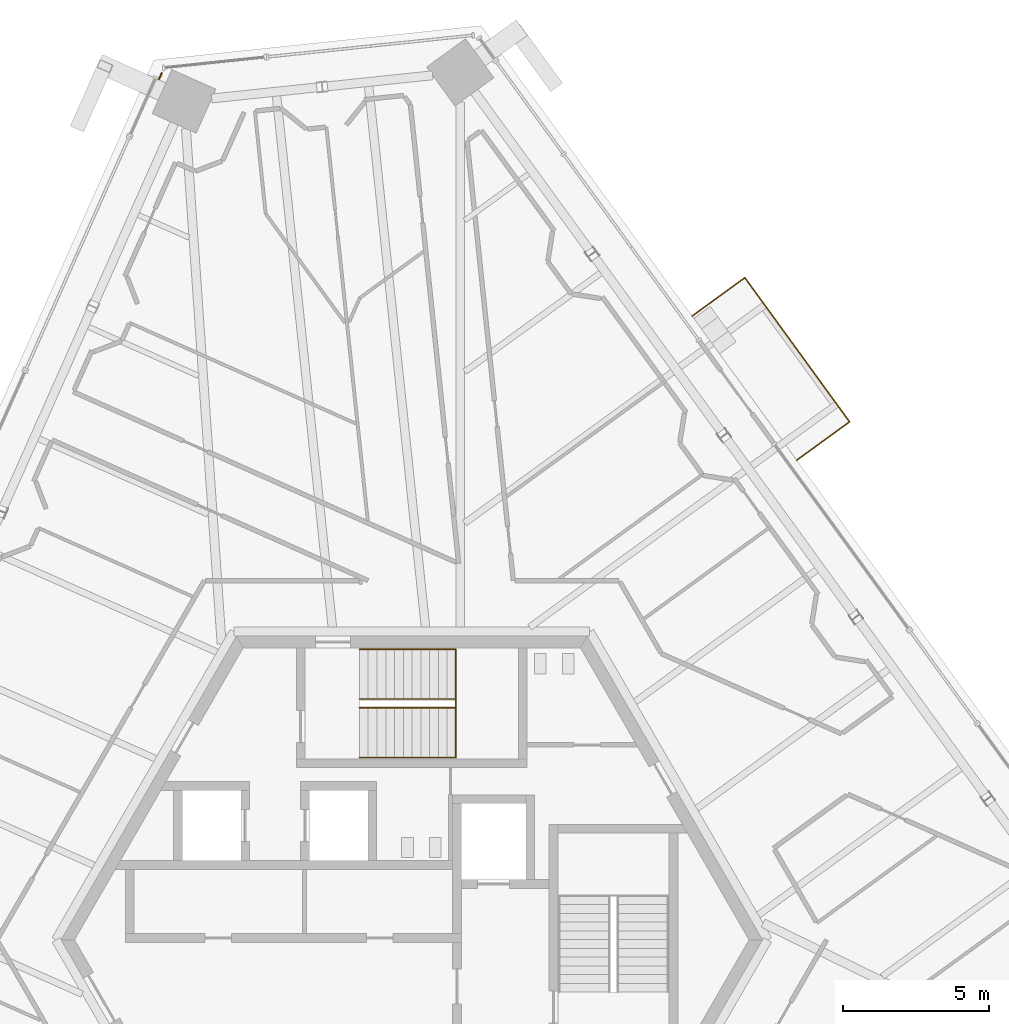
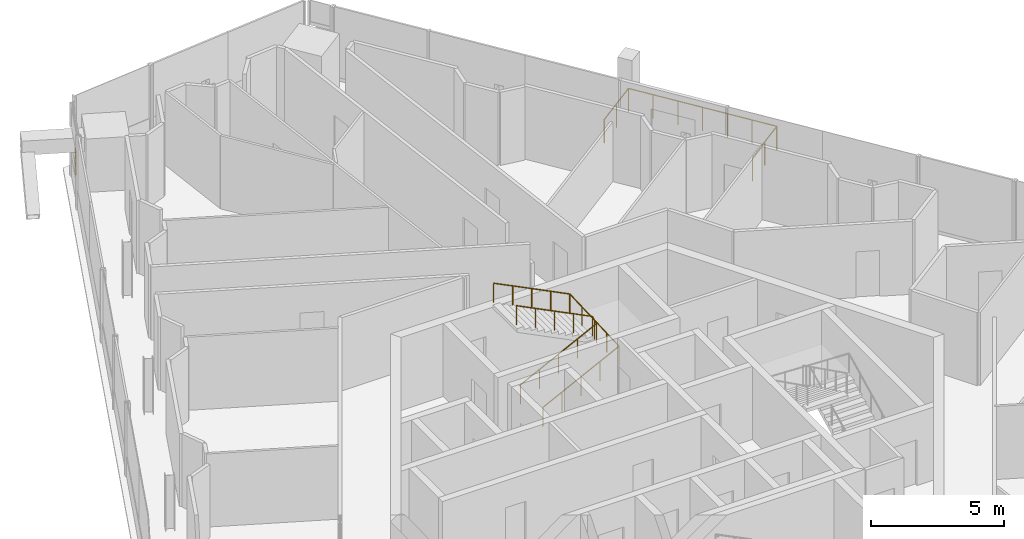
# One storey, part 23 of 26: 4 railings.
"""IFC4 building model written with IfcOpenShell, lengths in metres."""

from ifc_helpers import new_model, si_unit, direction, frame, origin, origin_2d, place, context, subcontext, project, spatial, circle, extrude, source, transform, mapped, material, type_object, element, save


model = new_model("IFC4")

# Units and contexts
model_context = context("Model", 3, precision=1e-05, world=origin(), true_north=direction((0.0, 1.0)))
body_context = subcontext(model_context, "Body", "Model", "MODEL_VIEW")
ifc_project = project(units=[si_unit("LENGTHUNIT", "METRE"), si_unit("AREAUNIT", "SQUARE_METRE"), si_unit("VOLUMEUNIT", "CUBIC_METRE"), si_unit("PLANEANGLEUNIT", "RADIAN"), si_unit("MASSUNIT", "GRAM", prefix="KILO")], contexts=[model_context])

# Site, building, storey
site_placement = place(None, origin())
site = spatial("IfcSite", under=ifc_project, at=site_placement, CompositionType="ELEMENT")
building_placement = place(site_placement, origin())
building = spatial("IfcBuilding", under=site, at=building_placement, Name="Triune Harvest Tower", CompositionType="ELEMENT")
storey_placement = place(building_placement, frame((0.0, 0.0, 252.10009765625)))
storey = spatial("IfcBuildingStorey", under=building, at=storey_placement, Name="L66", CompositionType="ELEMENT", Elevation=252.10009765625)

# Railings
ifc_material_1 = material(Name="Glass", Category="glass")
railing_type_1 = type_object("IfcRailingType", Name="GD-3 facade guard 1100", PredefinedType="GUARDRAIL", material=ifc_material_1)
railing_1_placement = place(storey_placement, frame((-8.556640625, 29.656982421875, 0.0)))
element("IfcRailing", 1, at=railing_1_placement, inside=storey, type_object=railing_type_1, Name="Facade guard B6-F3 L66.1.1", PredefinedType="GUARDRAIL", context=body_context, shape_type="SweptSolid", body=[
    extrude(circle(Radius=0.02392578125, at=origin_2d()), frame((0.0, 0.0, 1.076171875), z_axis=(-0.40673740295, -0.913545119324, 0.0), x_axis=(0.913545119324, -0.40673740295, 0.0)), (0.0, 0.0, 1.0), 0.226806640625),
    extrude(circle(Radius=0.02099609375, at=origin_2d()), origin(), (0.0, 0.0, 1.0), 1.052001953125),
    extrude(circle(Radius=0.02099609375, at=origin_2d()), frame((-0.09228515625, -0.207275390625, 0.0)), (0.0, 0.0, 1.0), 1.052001953125),
])
ifc_material_2 = material(Name="Stainless steel AISI 316", Category="steel")
railing_type_2 = type_object("IfcRailingType", Name="Stair handrail", PredefinedType="HANDRAIL", material=ifc_material_2)
shared_shape_1 = source(origin(), body_context, "Body", "SweptSolid", [
    extrude(circle(Radius=0.02392578125, at=origin_2d()), frame((0.0, 0.0, 0.8759765625), z_axis=(0.894440424912, 0.0, 0.447187126696), x_axis=(0.0, 1.0, 0.0)), (0.0, 0.0, 1.0), 3.689453125),
    extrude(circle(Radius=0.02392578125, at=origin_2d()), frame((3.300048828125, 0.0, 2.52587890625), z_axis=(0.0, 0.999177620331, 0.040547293732), x_axis=(-1.0, 0.0, 0.0)), (0.0, 0.0, 1.0), 3.702880859375),
    extrude(circle(Radius=0.02392578125, at=origin_2d()), frame((3.300048828125, 3.699951171875, 2.67578125), z_axis=(-0.894440424912, 0.0, 0.447187126696), x_axis=(0.0, -1.0, 0.0)), (0.0, 0.0, 1.0), 3.689453125),
    extrude(circle(Radius=0.02099609375, at=origin_2d()), origin(), (0.0, 0.0, 1.0), 0.851806640625),
    extrude(circle(Radius=0.02099609375, at=origin_2d()), frame((0.824951171875, 0.0, 0.41259765625)), (0.0, 0.0, 1.0), 0.851806640625),
    extrude(circle(Radius=0.02099609375, at=origin_2d()), frame((1.64990234375, 0.0, 0.824951171875)), (0.0, 0.0, 1.0), 0.851806640625),
    extrude(circle(Radius=0.02099609375, at=origin_2d()), frame((2.47509765625, 0.0, 1.2373046875)), (0.0, 0.0, 1.0), 0.851806640625),
    extrude(circle(Radius=0.02099609375, at=origin_2d()), frame((3.300048828125, 0.0, 1.64990234375)), (0.0, 0.0, 1.0), 0.851806640625),
    extrude(circle(Radius=0.02099609375, at=origin_2d()), frame((3.300048828125, 0.925048828125, 1.6875)), (0.0, 0.0, 1.0), 0.851806640625),
    extrude(circle(Radius=0.02099609375, at=origin_2d()), frame((3.300048828125, 1.85009765625, 1.72509765625)), (0.0, 0.0, 1.0), 0.851806640625),
    extrude(circle(Radius=0.02099609375, at=origin_2d()), frame((3.300048828125, 2.77490234375, 1.762451171875)), (0.0, 0.0, 1.0), 0.851806640625),
    extrude(circle(Radius=0.02099609375, at=origin_2d()), frame((3.300048828125, 3.699951171875, 1.800048828125)), (0.0, 0.0, 1.0), 0.851806640625),
    extrude(circle(Radius=0.02099609375, at=origin_2d()), frame((2.47509765625, 3.699951171875, 2.21240234375)), (0.0, 0.0, 1.0), 0.851806640625),
    extrude(circle(Radius=0.02099609375, at=origin_2d()), frame((1.64990234375, 3.699951171875, 2.625)), (0.0, 0.0, 1.0), 0.851806640625),
    extrude(circle(Radius=0.02099609375, at=origin_2d()), frame((0.824951171875, 3.699951171875, 3.03759765625)), (0.0, 0.0, 1.0), 0.851806640625),
    extrude(circle(Radius=0.02099609375, at=origin_2d()), frame((0.0, 3.699951171875, 3.449951171875)), (0.0, 0.0, 1.0), 0.851806640625),
])
railing_2_placement = place(storey_placement, frame((-1.7900390625, 6.239990234375, 0.14990234375)))
element("IfcRailing", 2, at=railing_2_placement, inside=storey, type_object=railing_type_2, Name="Exit stair north wall handrail", PredefinedType="HANDRAIL", context=body_context, shape_type="MappedRepresentation", body=[
    mapped(shared_shape_1, transform((0.0, 0.0, 0.0), scale=1.0)),
])
shared_shape_2 = source(origin(), body_context, "Body", "SweptSolid", [
    extrude(circle(Radius=0.02392578125, at=origin_2d()), frame((0.0, 0.0, 0.8759765625), z_axis=(0.894440424912, 0.0, 0.447187126696), x_axis=(0.0, 1.0, 0.0)), (0.0, 0.0, 1.0), 3.689453125),
    extrude(circle(Radius=0.02392578125, at=origin_2d()), frame((3.300048828125, 0.0, 2.52587890625), z_axis=(0.0, 0.894281613681, 0.447504631744), x_axis=(-1.0, 0.0, 0.0)), (0.0, 0.0, 1.0), 0.33544921875),
    extrude(circle(Radius=0.02392578125, at=origin_2d()), frame((3.300048828125, 0.300048828125, 2.67578125), z_axis=(-0.894440424912, 0.0, 0.447187126696), x_axis=(0.0, -1.0, 0.0)), (0.0, 0.0, 1.0), 3.689453125),
    extrude(circle(Radius=0.02099609375, at=origin_2d()), origin(), (0.0, 0.0, 1.0), 0.851806640625),
    extrude(circle(Radius=0.02099609375, at=origin_2d()), frame((0.824951171875, 0.0, 0.41259765625)), (0.0, 0.0, 1.0), 0.851806640625),
    extrude(circle(Radius=0.02099609375, at=origin_2d()), frame((1.64990234375, 0.0, 0.824951171875)), (0.0, 0.0, 1.0), 0.851806640625),
    extrude(circle(Radius=0.02099609375, at=origin_2d()), frame((2.47509765625, 0.0, 1.2373046875)), (0.0, 0.0, 1.0), 0.851806640625),
    extrude(circle(Radius=0.02099609375, at=origin_2d()), frame((3.300048828125, 0.0, 1.64990234375)), (0.0, 0.0, 1.0), 0.851806640625),
    extrude(circle(Radius=0.02099609375, at=origin_2d()), frame((3.300048828125, 0.300048828125, 1.800048828125)), (0.0, 0.0, 1.0), 0.851806640625),
    extrude(circle(Radius=0.02099609375, at=origin_2d()), frame((2.47509765625, 0.300048828125, 2.21240234375)), (0.0, 0.0, 1.0), 0.851806640625),
    extrude(circle(Radius=0.02099609375, at=origin_2d()), frame((1.64990234375, 0.300048828125, 2.625)), (0.0, 0.0, 1.0), 0.851806640625),
    extrude(circle(Radius=0.02099609375, at=origin_2d()), frame((0.824951171875, 0.300048828125, 3.03759765625)), (0.0, 0.0, 1.0), 0.851806640625),
    extrude(circle(Radius=0.02099609375, at=origin_2d()), frame((0.0, 0.300048828125, 3.449951171875)), (0.0, 0.0, 1.0), 0.851806640625),
])
railing_3_placement = place(storey_placement, frame((-1.7900390625, 7.93994140625, 0.14990234375)))
element("IfcRailing", 3, at=railing_3_placement, inside=storey, type_object=railing_type_2, Name="Exit stair north centre handrail", PredefinedType="HANDRAIL", context=body_context, shape_type="MappedRepresentation", body=[
    mapped(shared_shape_2, transform((0.0, 0.0, 0.0), scale=1.0)),
])
ifc_material_3 = material(Name="Glass", Category="glass")
railing_type_3 = type_object("IfcRailingType", Name="GD-2 balcony guard 1100", PredefinedType="GUARDRAIL", material=ifc_material_3)
shared_shape_3 = source(origin(), body_context, "Body", "SweptSolid", [
    extrude(circle(Radius=0.02392578125, at=origin_2d()), frame((0.0, 0.0, 1.076171875), z_axis=(0.808981707372, 0.58783381762, 0.0), x_axis=(-0.58783381762, 0.808981707372, 0.0)), (0.0, 0.0, 1.0), 2.234375),
    extrude(circle(Radius=0.02392578125, at=origin_2d()), frame((1.8076171875, 1.3134765625, 1.076171875), z_axis=(-0.587788459508, 0.809014664187, 0.0), x_axis=(-0.809014664187, -0.587788459508, 0.0)), (0.0, 0.0, 1.0), 6.099365234375),
    extrude(circle(Radius=0.02392578125, at=origin_2d()), frame((-1.777587890625, 6.248046875, 1.076171875), z_axis=(-0.808981707372, -0.58783381762, 0.0), x_axis=(0.58783381762, -0.808981707372, 0.0)), (0.0, 0.0, 1.0), 2.234375),
    extrude(circle(Radius=0.02099609375, at=origin_2d()), origin(), (0.0, 0.0, 1.0), 1.052001953125),
    extrude(circle(Radius=0.02099609375, at=origin_2d()), frame((0.90380859375, 0.65673828125, 0.0)), (0.0, 0.0, 1.0), 1.052001953125),
    extrude(circle(Radius=0.02099609375, at=origin_2d()), frame((1.8076171875, 1.3134765625, 0.0)), (0.0, 0.0, 1.0), 1.052001953125),
    extrude(circle(Radius=0.02099609375, at=origin_2d()), frame((1.2099609375, 2.135986328125, 0.0)), (0.0, 0.0, 1.0), 1.052001953125),
    extrude(circle(Radius=0.02099609375, at=origin_2d()), frame((0.612548828125, 2.958251953125, 0.0)), (0.0, 0.0, 1.0), 1.052001953125),
    extrude(circle(Radius=0.02099609375, at=origin_2d()), frame((0.01513671875, 3.78076171875, 0.0)), (0.0, 0.0, 1.0), 1.052001953125),
    extrude(circle(Radius=0.02099609375, at=origin_2d()), frame((-0.58251953125, 4.603271484375, 0.0)), (0.0, 0.0, 1.0), 1.052001953125),
    extrude(circle(Radius=0.02099609375, at=origin_2d()), frame((-1.18017578125, 5.425537109375, 0.0)), (0.0, 0.0, 1.0), 1.052001953125),
    extrude(circle(Radius=0.02099609375, at=origin_2d()), frame((-1.777587890625, 6.248046875, 0.0)), (0.0, 0.0, 1.0), 1.052001953125),
    extrude(circle(Radius=0.02099609375, at=origin_2d()), frame((-2.681396484375, 5.59130859375, 0.0)), (0.0, 0.0, 1.0), 1.052001953125),
    extrude(circle(Radius=0.02099609375, at=origin_2d()), frame((-3.585205078125, 4.9345703125, 0.0)), (0.0, 0.0, 1.0), 1.052001953125),
])
railing_4_placement = place(storey_placement, frame((13.173583984375, 16.41064453125, 0.0)))
element("IfcRailing", 4, at=railing_4_placement, inside=storey, type_object=railing_type_3, Name="Balcony guard B6-F1 L66.8", PredefinedType="GUARDRAIL", context=body_context, shape_type="MappedRepresentation", body=[
    mapped(shared_shape_3, transform((0.0, 0.0, 0.0), scale=1.0)),
])

save(model, "model.ifc")
